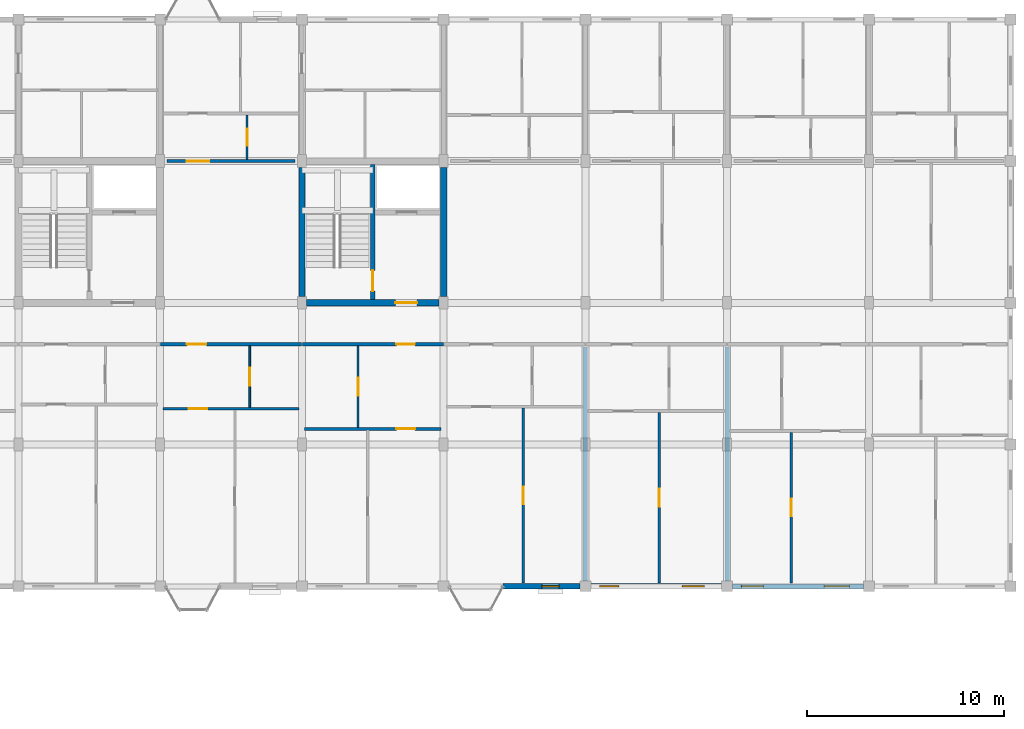
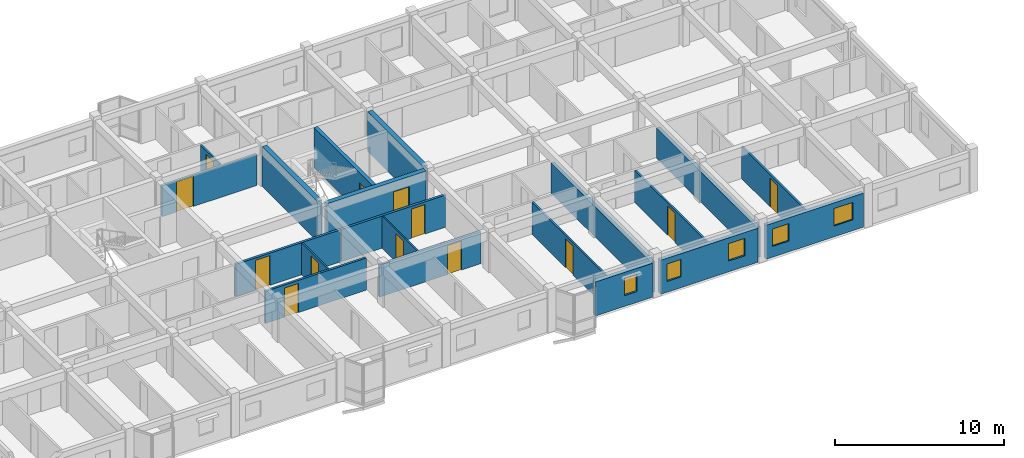
# One storey, part 67 of 77: 20 walls, 13 doors, 5 windows, 18 openings.
"""IFC4 building model written with IfcOpenShell, lengths in metres."""

from ifc_helpers import new_model, si_unit, direction, frame, frame_2d, origin, place, context, subcontext, project, spatial, rectangle, extrude, material, layer, layer_set, type_object, element, fill, save


model = new_model("IFC4")

# Units and contexts
model_context = context("Model", 3, precision=1e-05, world=origin(), true_north=direction((0.0, 1.0)))
body_context = subcontext(model_context, "Body", "Model", "MODEL_VIEW")
ifc_project = project(units=[si_unit("LENGTHUNIT", "METRE"), si_unit("AREAUNIT", "SQUARE_METRE"), si_unit("VOLUMEUNIT", "CUBIC_METRE"), si_unit("PLANEANGLEUNIT", "RADIAN"), si_unit("MASSUNIT", "GRAM", prefix="KILO"), si_unit("THERMODYNAMICTEMPERATUREUNIT", "KELVIN"), si_unit("POWERUNIT", "WATT")], contexts=[model_context])

# Site, building, storey
site_placement = place(None, origin())
site = spatial("IfcSite", under=ifc_project, at=site_placement, CompositionType="ELEMENT")
building_placement = place(site_placement, origin())
building = spatial("IfcBuilding", under=site, at=building_placement, Name="Tavuni Mirador Residences", CompositionType="ELEMENT")
storey_placement = place(building_placement, frame((0.0, 0.0, 17.10009765625)))
storey = spatial("IfcBuildingStorey", under=building, at=storey_placement, Name="L05", CompositionType="ELEMENT", Elevation=17.10009765625)

# Wall, opening, door
ifc_material_1 = material(Name="Precast concrete C40/50", Category="concrete")
ifc_layer_1 = layer(ifc_material_1, 0.25, Name="Precast concrete C40/50", Category="concrete")
ifc_layer_set_1 = layer_set([ifc_layer_1], Name="Precast concrete C40/50")
wall_type_1 = type_object("IfcWallType", Name="WT-COR250", PredefinedType="SHEAR", material=ifc_layer_set_1)
wall_1_placement = place(storey_placement, frame((43.199951171875, 158.56005859375, 0.0), z_axis=(0.0, 0.0, 1.0), x_axis=(0.0, 1.0, 0.0)))
wall_1 = element("IfcWall", 1, at=wall_1_placement, inside=storey, type_object=wall_type_1, Name="CWALL-C6-L05-MID", PredefinedType="SHEAR", context=body_context, shape_type="SweptSolid", body=[
    extrude(rectangle(XDim=6.8798828125, YDim=0.25, at=frame_2d((3.43994140625, 0.0))), origin(), (0.0, 0.0, 1.0), 2.885009765625),
])
opening_1_placement = place(wall_1_placement, frame((0.43994140625, 0.0, 0.0)))
opening_1 = element("IfcOpeningElement", 2, at=opening_1_placement, cuts=wall_1, Name="Opening D-01", PredefinedType="OPENING", context=body_context, shape_type="SweptSolid", body=[
    extrude(rectangle(XDim=1.050048828125, YDim=2.14990234375, at=frame_2d((0.52490234375, 1.074951171875))), frame((0.0, 0.135009765625, 0.0), z_axis=(0.0, -1.0, 0.0), x_axis=(1.0, 0.0, 0.0)), (0.0, 0.0, 1.0), 0.27001953125),
])
ifc_material_2 = material(Name="Solid core iroko timber", Category="wood")
door_type_1 = type_object("IfcDoorType", Name="DT-ST1050", OperationType="NOTDEFINED", PredefinedType="DOOR", material=ifc_material_2)
door_1_placement = place(opening_1_placement, origin())
door_1 = element("IfcDoor", 3, at=door_1_placement, inside=storey, type_object=door_type_1, Name="DR-2235", OperationType="SINGLE_SWING_LEFT", OverallHeight=2.14990234375, OverallWidth=1.050048828125, PredefinedType="DOOR", context=body_context, shape_type="SweptSolid", body=[
    extrude(rectangle(XDim=1.050048828125, YDim=2.14990234375, at=frame_2d((0.52490234375, 1.074951171875))), frame((0.0, 0.02490234375, 0.0), z_axis=(0.0, -1.0, 0.0), x_axis=(1.0, 0.0, 0.0)), (0.0, 0.0, 1.0), 0.050048828125),
])
fill(opening_1, door_1)

# Walls
ifc_layer_2 = layer(ifc_material_1, 0.320068359375, Name="Precast concrete C40/50", Category="concrete")
ifc_layer_set_2 = layer_set([ifc_layer_2], Name="Precast concrete C40/50")
wall_type_2 = type_object("IfcWallType", Name="WT-COR320", PredefinedType="SHEAR", material=ifc_layer_set_2)
for number, where, z_axis, x_axis, name in (
    (4, (39.60009765625, 158.72509765625, 0.0), (0.0, 0.0, 1.0), (0.0, 1.0, 0.0), "CWALL-C6-L05-W"),
    (5, (46.800048828125, 158.72509765625, 0.0), (0.0, 0.0, 1.0), (0.0, 1.0, 0.0), "CWALL-C6-L05-E"),
):
    element("IfcWall", number, at=place(storey_placement, frame(where, z_axis=z_axis, x_axis=x_axis)), inside=storey, type_object=wall_type_2, Name=name, PredefinedType="SHEAR", context=body_context, shape_type="SweptSolid", body=[
        extrude(rectangle(XDim=6.5498046875, YDim=0.320068359375, at=frame_2d((3.27490234375, 0.0))), origin(), (0.0, 0.0, 1.0), 2.885009765625),
    ])

# Wall, opening, door
wall_2_placement = place(storey_placement, frame((39.824951171875, 158.39990234375, 0.0), z_axis=(0.0, 0.0, 1.0), x_axis=(1.0, 0.0, 0.0)))
wall_2 = element("IfcWall", 6, at=wall_2_placement, inside=storey, type_object=wall_type_2, Name="CWALL-C6-L05-SS", PredefinedType="SHEAR", context=body_context, shape_type="SweptSolid", body=[
    extrude(rectangle(XDim=6.75, YDim=0.320068359375, at=frame_2d((3.375, 0.0))), origin(), (0.0, 0.0, 1.0), 2.885009765625),
])
opening_2_placement = place(wall_2_placement, frame((4.52490234375, 0.0, 0.0)))
opening_2 = element("IfcOpeningElement", 7, at=opening_2_placement, cuts=wall_2, Name="Opening D-02", PredefinedType="OPENING", context=body_context, shape_type="SweptSolid", body=[
    extrude(rectangle(XDim=1.10009765625, YDim=2.14990234375, at=frame_2d((0.550048828125, 1.074951171875))), frame((0.0, 0.169921875, 0.0), z_axis=(0.0, -1.0, 0.0), x_axis=(1.0, 0.0, 0.0)), (0.0, 0.0, 1.0), 0.340087890625),
])
door_type_2 = type_object("IfcDoorType", Name="DT-LOB1100", OperationType="NOTDEFINED", PredefinedType="DOOR", material=ifc_material_2)
door_2_placement = place(opening_2_placement, frame((1.10009765625, 0.0, 0.0), z_axis=(0.0, 0.0, 1.0), x_axis=(-1.0, 0.0, 0.0)))
door_2 = element("IfcDoor", 8, at=door_2_placement, inside=storey, type_object=door_type_2, Name="DR-2234", OperationType="SINGLE_SWING_RIGHT", OverallHeight=2.14990234375, OverallWidth=1.10009765625, PredefinedType="DOOR", context=body_context, shape_type="SweptSolid", body=[
    extrude(rectangle(XDim=1.10009765625, YDim=2.14990234375, at=frame_2d((0.550048828125, 1.074951171875))), frame((0.0, 0.02490234375, 0.0), z_axis=(0.0, -1.0, 0.0), x_axis=(1.0, 0.0, 0.0)), (0.0, 0.0, 1.0), 0.050048828125),
])
fill(opening_2, door_2)

ifc_layer_3 = layer(ifc_material_1, 0.1650390625, Name="Precast concrete C40/50", Category="concrete")
ifc_layer_set_3 = layer_set([ifc_layer_3], Name="Precast concrete C40/50")
wall_type_3 = type_object("IfcWallType", Name="WT-CORR165", PredefinedType="PARTITIONING", material=ifc_layer_set_3)
wall_3_placement = place(storey_placement, frame((32.419921875, 156.300048828125, 0.0), z_axis=(0.0, 0.0, 1.0), x_axis=(1.0, 0.0, 0.0)))
wall_3 = element("IfcWall", 9, at=wall_3_placement, inside=storey, type_object=wall_type_3, Name="CORW-BLK-C-L05-0-03", PredefinedType="PARTITIONING", context=body_context, shape_type="SweptSolid", body=[
    extrude(rectangle(XDim=7.16015625, YDim=0.1650390625, at=frame_2d((3.580078125, 0.0))), origin(), (0.0, 0.0, 1.0), 2.31982421875),
])
opening_3_placement = place(wall_3_placement, frame((1.330078125, 0.0, 0.0)))
opening_3 = element("IfcOpeningElement", 10, at=opening_3_placement, cuts=wall_3, Name="Opening D-03", PredefinedType="OPENING", context=body_context, shape_type="SweptSolid", body=[
    extrude(rectangle(XDim=1.0, YDim=2.14990234375, at=frame_2d((0.5, 1.074951171875))), frame((0.0, 0.092529296875, 0.0), z_axis=(0.0, -1.0, 0.0), x_axis=(1.0, 0.0, 0.0)), (0.0, 0.0, 1.0), 0.18505859375),
])
door_type_3 = type_object("IfcDoorType", Name="DT-FD60-1000", OperationType="NOTDEFINED", PredefinedType="DOOR", material=ifc_material_2)
door_3_placement = place(opening_3_placement, origin())
door_3 = element("IfcDoor", 11, at=door_3_placement, inside=storey, type_object=door_type_3, Name="DR-2694", OperationType="SINGLE_SWING_LEFT", OverallHeight=2.14990234375, OverallWidth=1.0, PredefinedType="DOOR", context=body_context, shape_type="SweptSolid", body=[
    extrude(rectangle(XDim=1.0, YDim=2.14990234375, at=frame_2d((0.5, 1.074951171875))), frame((0.0, 0.02490234375, 0.0), z_axis=(0.0, -1.0, 0.0), x_axis=(1.0, 0.0, 0.0)), (0.0, 0.0, 1.0), 0.050048828125),
])
fill(opening_3, door_3)

wall_4_placement = place(storey_placement, frame((39.6201171875, 156.300048828125, 0.0), z_axis=(0.0, 0.0, 1.0), x_axis=(1.0, 0.0, 0.0)))
wall_4 = element("IfcWall", 12, at=wall_4_placement, inside=storey, type_object=wall_type_3, Name="CORW-BLK-C-L05-0-04", PredefinedType="PARTITIONING", context=body_context, shape_type="SweptSolid", body=[
    extrude(rectangle(XDim=7.159912109375, YDim=0.1650390625, at=frame_2d((3.580078125, 0.0))), origin(), (0.0, 0.0, 1.0), 2.31982421875),
])
opening_4_placement = place(wall_4_placement, frame((4.780029296875, 0.0, 0.0)))
opening_4 = element("IfcOpeningElement", 13, at=opening_4_placement, cuts=wall_4, Name="Opening D-19", PredefinedType="OPENING", context=body_context, shape_type="SweptSolid", body=[
    extrude(rectangle(XDim=0.93994140625, YDim=2.1201171875, at=frame_2d((0.469970703125, 1.06005859375))), frame((0.0, 0.092529296875, 0.0), z_axis=(0.0, -1.0, 0.0), x_axis=(1.0, 0.0, 0.0)), (0.0, 0.0, 1.0), 0.18505859375),
])
door_type_4 = type_object("IfcDoorType", Name="DT-FD60-940", OperationType="NOTDEFINED", PredefinedType="DOOR", material=ifc_material_2)
door_4_placement = place(opening_4_placement, origin())
door_4 = element("IfcDoor", 14, at=door_4_placement, inside=storey, type_object=door_type_4, Name="DR-2695", OperationType="SINGLE_SWING_RIGHT", OverallHeight=2.1201171875, OverallWidth=0.93994140625, PredefinedType="DOOR", context=body_context, shape_type="SweptSolid", body=[
    extrude(rectangle(XDim=0.93994140625, YDim=2.1201171875, at=frame_2d((0.469970703125, 1.06005859375))), frame((0.0, 0.02490234375, 0.0), z_axis=(0.0, -1.0, 0.0), x_axis=(1.0, 0.0, 0.0)), (0.0, 0.0, 1.0), 0.050048828125),
])
fill(opening_4, door_4)

wall_5_placement = place(storey_placement, frame((32.75, 165.60009765625, 0.0), z_axis=(0.0, 0.0, 1.0), x_axis=(1.0, 0.0, 0.0)))
wall_5 = element("IfcWall", 15, at=wall_5_placement, inside=storey, type_object=wall_type_3, Name="CORW-BLK-C-L05-1-03", PredefinedType="PARTITIONING", context=body_context, shape_type="SweptSolid", body=[
    extrude(rectangle(XDim=6.5, YDim=0.1650390625, at=frame_2d((3.25, 0.0))), origin(), (0.0, 0.0, 1.0), 2.23486328125),
])
opening_5_placement = place(wall_5_placement, frame((1.0, 0.0, 0.0)))
opening_5 = element("IfcOpeningElement", 16, at=opening_5_placement, cuts=wall_5, Name="Opening D-20", PredefinedType="OPENING", context=body_context, shape_type="SweptSolid", body=[
    extrude(rectangle(XDim=1.139892578125, YDim=2.179931640625, at=frame_2d((0.56982421875, 1.08984375))), frame((0.0, 0.092529296875, 0.0), z_axis=(0.0, -1.0, 0.0), x_axis=(1.0, 0.0, 0.0)), (0.0, 0.0, 1.0), 0.18505859375),
])
door_type_5 = type_object("IfcDoorType", Name="DT-FD60-1140", OperationType="NOTDEFINED", PredefinedType="DOOR", material=ifc_material_2)
door_5_placement = place(opening_5_placement, origin())
door_5 = element("IfcDoor", 17, at=door_5_placement, inside=storey, type_object=door_type_5, Name="DR-2702", OperationType="SINGLE_SWING_LEFT", OverallHeight=2.179931640625, OverallWidth=1.139892578125, PredefinedType="DOOR", context=body_context, shape_type="SweptSolid", body=[
    extrude(rectangle(XDim=1.139892578125, YDim=2.179931640625, at=frame_2d((0.56982421875, 1.08984375))), frame((0.0, 0.02490234375, 0.0), z_axis=(0.0, -1.0, 0.0), x_axis=(1.0, 0.0, 0.0)), (0.0, 0.0, 1.0), 0.050048828125),
])
fill(opening_5, door_5)

# Wall, openings, windows
ifc_material_3 = material(Name="Sgraffito lime-rendered precast concrete C40/50", Category="concrete")
ifc_layer_4 = layer(ifc_material_3, 0.2548828125, Name="Sgraffito lime-rendered precast concrete C40/50", Category="concrete")
ifc_layer_set_4 = layer_set([ifc_layer_4], Name="Sgraffito lime-rendered precast concrete C40/50")
wall_type_4 = type_object("IfcWallType", Name="WT-EXT-PC255", PredefinedType="SOLIDWALL", material=ifc_layer_set_4)
wall_6_placement = place(storey_placement, frame((61.47509765625, 144.0, 0.0), z_axis=(0.0, 0.0, 1.0), x_axis=(1.0, 0.0, 0.0)))
wall_6 = element("IfcWall", 18, at=wall_6_placement, inside=storey, type_object=wall_type_4, Name="EW-BLK-C-L05-S07", PredefinedType="SOLIDWALL", context=body_context, shape_type="SweptSolid", body=[
    extrude(rectangle(XDim=6.64990234375, YDim=0.2548828125, at=frame_2d((3.324951171875, 0.0))), origin(), (0.0, 0.0, 1.0), 2.454833984375),
])
opening_6_placement = place(wall_6_placement, frame((0.449951171875, 0.0, 0.780029296875)))
opening_6 = element("IfcOpeningElement", 19, at=opening_6_placement, cuts=wall_6, Name="Opening WN-12", PredefinedType="OPENING", context=body_context, shape_type="SweptSolid", body=[
    extrude(rectangle(XDim=1.1201171875, YDim=1.260009765625, at=frame_2d((0.56005859375, 0.6298828125))), frame((0.0, 0.137451171875, 0.0), z_axis=(0.0, -1.0, 0.0), x_axis=(1.0, 0.0, 0.0)), (0.0, 0.0, 1.0), 0.27490234375),
])
opening_7_placement = place(wall_6_placement, frame((4.64990234375, 0.0, 0.780029296875)))
opening_7 = element("IfcOpeningElement", 20, at=opening_7_placement, cuts=wall_6, Name="Opening WN-14", PredefinedType="OPENING", context=body_context, shape_type="SweptSolid", body=[
    extrude(rectangle(XDim=1.280029296875, YDim=1.260009765625, at=frame_2d((0.64013671875, 0.6298828125))), frame((0.0, 0.137451171875, 0.0), z_axis=(0.0, -1.0, 0.0), x_axis=(1.0, 0.0, 0.0)), (0.0, 0.0, 1.0), 0.27490234375),
])
ifc_material_4 = material(Name="Laminated solar-control glass", Category="glass")
window_type_1 = type_object("IfcWindowType", Name="WNT-12", PartitioningType="SINGLE_PANEL", PredefinedType="WINDOW", material=ifc_material_4)
window_1_placement = place(opening_6_placement, origin())
window_1 = element("IfcWindow", 21, at=window_1_placement, inside=storey, type_object=window_type_1, Name="WIN-1056", OverallHeight=1.260009765625, OverallWidth=1.1201171875, PartitioningType="SINGLE_PANEL", PredefinedType="WINDOW", context=body_context, shape_type="SweptSolid", body=[
    extrude(rectangle(XDim=1.1201171875, YDim=1.260009765625, at=frame_2d((0.56005859375, 0.6298828125))), frame((0.0, 0.030029296875, 0.0), z_axis=(0.0, -1.0, 0.0), x_axis=(1.0, 0.0, 0.0)), (0.0, 0.0, 1.0), 0.06005859375),
])
fill(opening_6, window_1)
window_type_2 = type_object("IfcWindowType", Name="WNT-14", PartitioningType="SINGLE_PANEL", PredefinedType="WINDOW", material=ifc_material_4)
window_2_placement = place(opening_7_placement, origin())
window_2 = element("IfcWindow", 22, at=window_2_placement, inside=storey, type_object=window_type_2, Name="WIN-1057", OverallHeight=1.260009765625, OverallWidth=1.280029296875, PartitioningType="SINGLE_PANEL", PredefinedType="WINDOW", context=body_context, shape_type="SweptSolid", body=[
    extrude(rectangle(XDim=1.280029296875, YDim=1.260009765625, at=frame_2d((0.64013671875, 0.6298828125))), frame((0.0, 0.030029296875, 0.0), z_axis=(0.0, -1.0, 0.0), x_axis=(1.0, 0.0, 0.0)), (0.0, 0.0, 1.0), 0.06005859375),
])
fill(opening_7, window_2)

ifc_layer_5 = layer(ifc_material_3, 0.27490234375, Name="Sgraffito lime-rendered precast concrete C40/50", Category="concrete")
ifc_layer_set_5 = layer_set([ifc_layer_5], Name="Sgraffito lime-rendered precast concrete C40/50")
wall_type_5 = type_object("IfcWallType", Name="WT-EXT-PC275", PredefinedType="SOLIDWALL", material=ifc_layer_set_5)
wall_7_placement = place(storey_placement, frame((54.27490234375, 144.0, 0.0), z_axis=(0.0, 0.0, 1.0), x_axis=(1.0, 0.0, 0.0)))
wall_7 = element("IfcWall", 23, at=wall_7_placement, inside=storey, type_object=wall_type_5, Name="EW-BLK-C-L05-S06", PredefinedType="SOLIDWALL", context=body_context, shape_type="SweptSolid", body=[
    extrude(rectangle(XDim=6.650146484375, YDim=0.27490234375, at=frame_2d((3.3251953125, 0.0))), origin(), (0.0, 0.0, 1.0), 2.454833984375),
])
opening_8_placement = place(wall_7_placement, frame((0.449951171875, 0.0, 0.780029296875)))
opening_8 = element("IfcOpeningElement", 24, at=opening_8_placement, cuts=wall_7, Name="Opening WN-10", PredefinedType="OPENING", context=body_context, shape_type="SweptSolid", body=[
    extrude(rectangle(XDim=0.9599609375, YDim=1.260009765625, at=frame_2d((0.47998046875, 0.6298828125))), frame((0.0, 0.1474609375, 0.0), z_axis=(0.0, -1.0, 0.0), x_axis=(1.0, 0.0, 0.0)), (0.0, 0.0, 1.0), 0.294921875),
])
opening_9_placement = place(wall_7_placement, frame((4.64990234375, 0.0, 0.780029296875)))
opening_9 = element("IfcOpeningElement", 25, at=opening_9_placement, cuts=wall_7, Name="Opening WN-12", PredefinedType="OPENING", context=body_context, shape_type="SweptSolid", body=[
    extrude(rectangle(XDim=1.1201171875, YDim=1.260009765625, at=frame_2d((0.56005859375, 0.6298828125))), frame((0.0, 0.1474609375, 0.0), z_axis=(0.0, -1.0, 0.0), x_axis=(1.0, 0.0, 0.0)), (0.0, 0.0, 1.0), 0.294921875),
])
window_type_3 = type_object("IfcWindowType", Name="WNT-10", PartitioningType="SINGLE_PANEL", PredefinedType="WINDOW", material=ifc_material_4)
window_3_placement = place(opening_8_placement, origin())
window_3 = element("IfcWindow", 26, at=window_3_placement, inside=storey, type_object=window_type_3, Name="WIN-1054", OverallHeight=1.260009765625, OverallWidth=0.9599609375, PartitioningType="SINGLE_PANEL", PredefinedType="WINDOW", context=body_context, shape_type="SweptSolid", body=[
    extrude(rectangle(XDim=0.9599609375, YDim=1.260009765625, at=frame_2d((0.47998046875, 0.6298828125))), frame((0.0, 0.030029296875, 0.0), z_axis=(0.0, -1.0, 0.0), x_axis=(1.0, 0.0, 0.0)), (0.0, 0.0, 1.0), 0.06005859375),
])
fill(opening_8, window_3)
window_4_placement = place(opening_9_placement, origin())
window_4 = element("IfcWindow", 27, at=window_4_placement, inside=storey, type_object=window_type_1, Name="WIN-1055", OverallHeight=1.260009765625, OverallWidth=1.1201171875, PartitioningType="SINGLE_PANEL", PredefinedType="WINDOW", context=body_context, shape_type="SweptSolid", body=[
    extrude(rectangle(XDim=1.1201171875, YDim=1.260009765625, at=frame_2d((0.56005859375, 0.6298828125))), frame((0.0, 0.030029296875, 0.0), z_axis=(0.0, -1.0, 0.0), x_axis=(1.0, 0.0, 0.0)), (0.0, 0.0, 1.0), 0.06005859375),
])
fill(opening_9, window_4)

# Wall, opening, window
ifc_layer_6 = layer(ifc_material_3, 0.2900390625, Name="Sgraffito lime-rendered precast concrete C40/50", Category="concrete")
ifc_layer_set_6 = layer_set([ifc_layer_6], Name="Sgraffito lime-rendered precast concrete C40/50")
wall_type_6 = type_object("IfcWallType", Name="WT-EXT-PC290", PredefinedType="SOLIDWALL", material=ifc_layer_set_6)
wall_8_placement = place(storey_placement, frame((49.820068359375, 144.0, 0.0), z_axis=(0.0, 0.0, 1.0), x_axis=(1.0, 0.0, 0.0)))
wall_8 = element("IfcWall", 28, at=wall_8_placement, inside=storey, type_object=wall_type_6, Name="EW-BLK-C-L05-S05", PredefinedType="SOLIDWALL", context=body_context, shape_type="SweptSolid", body=[
    extrude(rectangle(XDim=3.905029296875, YDim=0.2900390625, at=frame_2d((1.95263671875, 0.0))), origin(), (0.0, 0.0, 1.0), 2.454833984375),
])
opening_10_placement = place(wall_8_placement, frame((1.972412109375, 0.0, 0.780029296875)))
opening_10 = element("IfcOpeningElement", 29, at=opening_10_placement, cuts=wall_8, Name="Opening WN-09", PredefinedType="OPENING", context=body_context, shape_type="SweptSolid", body=[
    extrude(rectangle(XDim=0.8798828125, YDim=1.260009765625, at=frame_2d((0.43994140625, 0.6298828125))), frame((0.0, 0.155029296875, 0.0), z_axis=(0.0, -1.0, 0.0), x_axis=(1.0, 0.0, 0.0)), (0.0, 0.0, 1.0), 0.31005859375),
])
window_type_4 = type_object("IfcWindowType", Name="WNT-09", PartitioningType="SINGLE_PANEL", PredefinedType="WINDOW", material=ifc_material_4)
window_5_placement = place(opening_10_placement, origin())
window_5 = element("IfcWindow", 30, at=window_5_placement, inside=storey, type_object=window_type_4, Name="WIN-1053", OverallHeight=1.260009765625, OverallWidth=0.8798828125, PartitioningType="SINGLE_PANEL", PredefinedType="WINDOW", context=body_context, shape_type="SweptSolid", body=[
    extrude(rectangle(XDim=0.8798828125, YDim=1.260009765625, at=frame_2d((0.43994140625, 0.6298828125))), frame((0.0, 0.030029296875, 0.0), z_axis=(0.0, -1.0, 0.0), x_axis=(1.0, 0.0, 0.0)), (0.0, 0.0, 1.0), 0.06005859375),
])
fill(opening_10, window_5)

# Wall, opening, door
ifc_material_5 = material(Name="Acoustic gypsum and concrete block partition", Category="concrete")
ifc_layer_7 = layer(ifc_material_5, 0.094970703125, Name="Acoustic gypsum and concrete block partition", Category="concrete")
ifc_layer_set_7 = layer_set([ifc_layer_7], Name="Acoustic gypsum and concrete block partition")
wall_type_7 = type_object("IfcWallType", Name="WT-PART095", PredefinedType="PARTITIONING", material=ifc_layer_set_7)
wall_9_placement = place(storey_placement, frame((36.949951171875, 153.090087890625, 0.0), z_axis=(0.0, 0.0, 1.0), x_axis=(0.0, 1.0, 0.0)))
wall_9 = element("IfcWall", 31, at=wall_9_placement, inside=storey, type_object=wall_type_7, Name="PW-BLK-C-L05-S03-IN1", PredefinedType="PARTITIONING", context=body_context, shape_type="SweptSolid", body=[
    extrude(rectangle(XDim=3.119873046875, YDim=0.094970703125, at=frame_2d((1.56005859375, 0.0))), origin(), (0.0, 0.0, 1.0), 2.31982421875),
])
opening_11_placement = place(wall_9_placement, frame((1.110107421875, 0.0, 0.0)))
opening_11 = element("IfcOpeningElement", 32, at=opening_11_placement, cuts=wall_9, Name="Opening D-09", PredefinedType="OPENING", context=body_context, shape_type="SweptSolid", body=[
    extrude(rectangle(XDim=0.89990234375, YDim=2.050048828125, at=frame_2d((0.449951171875, 1.02490234375))), frame((0.0, 0.0576171875, 0.0), z_axis=(0.0, -1.0, 0.0), x_axis=(1.0, 0.0, 0.0)), (0.0, 0.0, 1.0), 0.114990234375),
])
door_type_6 = type_object("IfcDoorType", Name="DT-WC900", OperationType="NOTDEFINED", PredefinedType="DOOR", material=ifc_material_2)
door_6_placement = place(opening_11_placement, origin())
door_6 = element("IfcDoor", 33, at=door_6_placement, inside=storey, type_object=door_type_6, Name="DR-3925", OperationType="SINGLE_SWING_LEFT", OverallHeight=2.050048828125, OverallWidth=0.89990234375, PredefinedType="DOOR", context=body_context, shape_type="SweptSolid", body=[
    extrude(rectangle(XDim=0.89990234375, YDim=2.050048828125, at=frame_2d((0.449951171875, 1.02490234375))), frame((0.0, 0.02490234375, 0.0), z_axis=(0.0, -1.0, 0.0), x_axis=(1.0, 0.0, 0.0)), (0.0, 0.0, 1.0), 0.050048828125),
])
fill(opening_11, door_6)

wall_10_placement = place(storey_placement, frame((42.449951171875, 152.070068359375, 0.0), z_axis=(0.0, 0.0, 1.0), x_axis=(0.0, 1.0, 0.0)))
wall_10 = element("IfcWall", 34, at=wall_10_placement, inside=storey, type_object=wall_type_7, Name="PW-BLK-C-L05-S04-IN1", PredefinedType="PARTITIONING", context=body_context, shape_type="SweptSolid", body=[
    extrude(rectangle(XDim=4.139892578125, YDim=0.094970703125, at=frame_2d((2.06982421875, 0.0))), origin(), (0.0, 0.0, 1.0), 2.31982421875),
])
opening_12_placement = place(wall_10_placement, frame((1.6201171875, 0.0, 0.0)))
opening_12 = element("IfcOpeningElement", 35, at=opening_12_placement, cuts=wall_10, Name="Opening D-09", PredefinedType="OPENING", context=body_context, shape_type="SweptSolid", body=[
    extrude(rectangle(XDim=0.89990234375, YDim=2.050048828125, at=frame_2d((0.449951171875, 1.02490234375))), frame((0.0, 0.0576171875, 0.0), z_axis=(0.0, -1.0, 0.0), x_axis=(1.0, 0.0, 0.0)), (0.0, 0.0, 1.0), 0.114990234375),
])
door_7_placement = place(opening_12_placement, origin())
door_7 = element("IfcDoor", 36, at=door_7_placement, inside=storey, type_object=door_type_6, Name="DR-3931", OperationType="SINGLE_SWING_LEFT", OverallHeight=2.050048828125, OverallWidth=0.89990234375, PredefinedType="DOOR", context=body_context, shape_type="SweptSolid", body=[
    extrude(rectangle(XDim=0.89990234375, YDim=2.050048828125, at=frame_2d((0.449951171875, 1.02490234375))), frame((0.0, 0.02490234375, 0.0), z_axis=(0.0, -1.0, 0.0), x_axis=(1.0, 0.0, 0.0)), (0.0, 0.0, 1.0), 0.050048828125),
])
fill(opening_12, door_7)

ifc_layer_8 = layer(ifc_material_5, 0.10498046875, Name="Acoustic gypsum and concrete block partition", Category="concrete")
ifc_layer_set_8 = layer_set([ifc_layer_8], Name="Acoustic gypsum and concrete block partition")
wall_type_8 = type_object("IfcWallType", Name="WT-PART105", PredefinedType="PARTITIONING", material=ifc_layer_set_8)
wall_11_placement = place(storey_placement, frame((36.820068359375, 165.68994140625, 0.0), z_axis=(0.0, 0.0, 1.0), x_axis=(0.0, 1.0, 0.0)))
wall_11 = element("IfcWall", 37, at=wall_11_placement, inside=storey, type_object=wall_type_8, Name="PW-BLK-C-L05-N03-IN1", PredefinedType="PARTITIONING", context=body_context, shape_type="SweptSolid", body=[
    extrude(rectangle(XDim=2.260009765625, YDim=0.10498046875, at=frame_2d((1.1298828125, 0.0))), origin(), (0.0, 0.0, 1.0), 2.31982421875),
])
opening_13_placement = place(wall_11_placement, frame((0.695068359375, 0.0, 0.0)))
opening_13 = element("IfcOpeningElement", 38, at=opening_13_placement, cuts=wall_11, Name="Opening D-10", PredefinedType="OPENING", context=body_context, shape_type="SweptSolid", body=[
    extrude(rectangle(XDim=0.8701171875, YDim=2.050048828125, at=frame_2d((0.43505859375, 1.02490234375))), frame((0.0, 0.0625, 0.0), z_axis=(0.0, -1.0, 0.0), x_axis=(1.0, 0.0, 0.0)), (0.0, 0.0, 1.0), 0.125),
])
door_type_7 = type_object("IfcDoorType", Name="DT-WC870", OperationType="NOTDEFINED", PredefinedType="DOOR", material=ifc_material_2)
door_8_placement = place(opening_13_placement, origin())
door_8 = element("IfcDoor", 39, at=door_8_placement, inside=storey, type_object=door_type_7, Name="DR-3928", OperationType="SINGLE_SWING_RIGHT", OverallHeight=2.050048828125, OverallWidth=0.8701171875, PredefinedType="DOOR", context=body_context, shape_type="SweptSolid", body=[
    extrude(rectangle(XDim=0.8701171875, YDim=2.050048828125, at=frame_2d((0.43505859375, 1.02490234375))), frame((0.0, 0.02490234375, 0.0), z_axis=(0.0, -1.0, 0.0), x_axis=(1.0, 0.0, 0.0)), (0.0, 0.0, 1.0), 0.050048828125),
])
fill(opening_13, door_8)

ifc_layer_9 = layer(ifc_material_5, 0.114990234375, Name="Acoustic gypsum and concrete block partition", Category="concrete")
ifc_layer_set_9 = layer_set([ifc_layer_9], Name="Acoustic gypsum and concrete block partition")
wall_type_9 = type_object("IfcWallType", Name="WT-PART115", PredefinedType="PARTITIONING", material=ifc_layer_set_9)
wall_12_placement = place(storey_placement, frame((50.85009765625, 144.175048828125, 0.0), z_axis=(0.0, 0.0, 1.0), x_axis=(0.0, 1.0, 0.0)))
wall_12 = element("IfcWall", 40, at=wall_12_placement, inside=storey, type_object=wall_type_9, Name="PW-BLK-C-L05-S05-OUT", PredefinedType="PARTITIONING", context=body_context, shape_type="SweptSolid", body=[
    extrude(rectangle(XDim=8.875, YDim=0.114990234375, at=frame_2d((4.4375, 0.0))), origin(), (0.0, 0.0, 1.0), 2.31982421875),
])
opening_14_placement = place(wall_12_placement, frame((3.99755859375, 0.0, 0.0)))
opening_14 = element("IfcOpeningElement", 41, at=opening_14_placement, cuts=wall_12, Name="Opening D-08", PredefinedType="OPENING", context=body_context, shape_type="SweptSolid", body=[
    extrude(rectangle(XDim=0.8798828125, YDim=2.080078125, at=frame_2d((0.43994140625, 1.0400390625))), frame((0.0, 0.0673828125, 0.0), z_axis=(0.0, -1.0, 0.0), x_axis=(1.0, 0.0, 0.0)), (0.0, 0.0, 1.0), 0.135009765625),
])
door_type_8 = type_object("IfcDoorType", Name="DT-BED880", OperationType="NOTDEFINED", PredefinedType="DOOR", material=ifc_material_2)
door_9_placement = place(opening_14_placement, origin())
door_9 = element("IfcDoor", 42, at=door_9_placement, inside=storey, type_object=door_type_8, Name="DR-3935", OperationType="SINGLE_SWING_LEFT", OverallHeight=2.080078125, OverallWidth=0.8798828125, PredefinedType="DOOR", context=body_context, shape_type="SweptSolid", body=[
    extrude(rectangle(XDim=0.8798828125, YDim=2.080078125, at=frame_2d((0.43994140625, 1.0400390625))), frame((0.0, 0.02490234375, 0.0), z_axis=(0.0, -1.0, 0.0), x_axis=(1.0, 0.0, 0.0)), (0.0, 0.0, 1.0), 0.050048828125),
])
fill(opening_14, door_9)

ifc_layer_10 = layer(ifc_material_5, 0.125, Name="Acoustic gypsum and concrete block partition", Category="concrete")
ifc_layer_set_10 = layer_set([ifc_layer_10], Name="Acoustic gypsum and concrete block partition")
wall_type_10 = type_object("IfcWallType", Name="WT-PART125", PredefinedType="PARTITIONING", material=ifc_layer_set_10)
wall_13_placement = place(storey_placement, frame((57.75, 144.175048828125, 0.0), z_axis=(0.0, 0.0, 1.0), x_axis=(0.0, 1.0, 0.0)))
wall_13 = element("IfcWall", 43, at=wall_13_placement, inside=storey, type_object=wall_type_10, Name="PW-BLK-C-L05-S06-OUT", PredefinedType="PARTITIONING", context=body_context, shape_type="SweptSolid", body=[
    extrude(rectangle(XDim=8.655029296875, YDim=0.125, at=frame_2d((4.32763671875, 0.0))), origin(), (0.0, 0.0, 1.0), 2.31982421875),
])
opening_15_placement = place(wall_13_placement, frame((3.87744140625, 0.0, 0.0)))
opening_15 = element("IfcOpeningElement", 44, at=opening_15_placement, cuts=wall_13, Name="Opening D-07", PredefinedType="OPENING", context=body_context, shape_type="SweptSolid", body=[
    extrude(rectangle(XDim=0.89990234375, YDim=2.10009765625, at=frame_2d((0.449951171875, 1.050048828125))), frame((0.0, 0.072509765625, 0.0), z_axis=(0.0, -1.0, 0.0), x_axis=(1.0, 0.0, 0.0)), (0.0, 0.0, 1.0), 0.14501953125),
])
door_type_9 = type_object("IfcDoorType", Name="DT-BED900", OperationType="NOTDEFINED", PredefinedType="DOOR", material=ifc_material_2)
door_10_placement = place(opening_15_placement, origin())
door_10 = element("IfcDoor", 45, at=door_10_placement, inside=storey, type_object=door_type_9, Name="DR-3942", OperationType="SINGLE_SWING_RIGHT", OverallHeight=2.10009765625, OverallWidth=0.89990234375, PredefinedType="DOOR", context=body_context, shape_type="SweptSolid", body=[
    extrude(rectangle(XDim=0.89990234375, YDim=2.10009765625, at=frame_2d((0.449951171875, 1.050048828125))), frame((0.0, 0.02490234375, 0.0), z_axis=(0.0, -1.0, 0.0), x_axis=(1.0, 0.0, 0.0)), (0.0, 0.0, 1.0), 0.050048828125),
])
fill(opening_15, door_10)

wall_14_placement = place(storey_placement, frame((64.449951171875, 144.175048828125, 0.0), z_axis=(0.0, 0.0, 1.0), x_axis=(0.0, 1.0, 0.0)))
wall_14 = element("IfcWall", 46, at=wall_14_placement, inside=storey, type_object=wall_type_10, Name="PW-BLK-C-L05-S07-OUT", PredefinedType="PARTITIONING", context=body_context, shape_type="SweptSolid", body=[
    extrude(rectangle(XDim=7.64501953125, YDim=0.125, at=frame_2d((3.822509765625, 0.0))), origin(), (0.0, 0.0, 1.0), 2.31982421875),
])
opening_16_placement = place(wall_14_placement, frame((3.382568359375, 0.0, 0.0)))
opening_16 = element("IfcOpeningElement", 47, at=opening_16_placement, cuts=wall_14, Name="Opening D-08", PredefinedType="OPENING", context=body_context, shape_type="SweptSolid", body=[
    extrude(rectangle(XDim=0.8798828125, YDim=2.080078125, at=frame_2d((0.43994140625, 1.0400390625))), frame((0.0, 0.072509765625, 0.0), z_axis=(0.0, -1.0, 0.0), x_axis=(1.0, 0.0, 0.0)), (0.0, 0.0, 1.0), 0.14501953125),
])
door_11_placement = place(opening_16_placement, origin())
door_11 = element("IfcDoor", 48, at=door_11_placement, inside=storey, type_object=door_type_8, Name="DR-3948", OperationType="SINGLE_SWING_LEFT", OverallHeight=2.080078125, OverallWidth=0.8798828125, PredefinedType="DOOR", context=body_context, shape_type="SweptSolid", body=[
    extrude(rectangle(XDim=0.8798828125, YDim=2.080078125, at=frame_2d((0.43994140625, 1.0400390625))), frame((0.0, 0.02490234375, 0.0), z_axis=(0.0, -1.0, 0.0), x_axis=(1.0, 0.0, 0.0)), (0.0, 0.0, 1.0), 0.050048828125),
])
fill(opening_16, door_11)

ifc_layer_11 = layer(ifc_material_5, 0.14990234375, Name="Acoustic gypsum and concrete block partition", Category="concrete")
ifc_layer_set_11 = layer_set([ifc_layer_11], Name="Acoustic gypsum and concrete block partition")
wall_type_11 = type_object("IfcWallType", Name="WT-PART150", PredefinedType="PARTITIONING", material=ifc_layer_set_11)
wall_15_placement = place(storey_placement, frame((32.5400390625, 153.02001953125, 0.0), z_axis=(0.0, 0.0, 1.0), x_axis=(1.0, 0.0, 0.0)))
wall_15 = element("IfcWall", 49, at=wall_15_placement, inside=storey, type_object=wall_type_11, Name="PW-BLK-C-L05-S03-MID", PredefinedType="PARTITIONING", context=body_context, shape_type="SweptSolid", body=[
    extrude(rectangle(XDim=6.919921875, YDim=0.14990234375, at=frame_2d((3.4599609375, 0.0))), origin(), (0.0, 0.0, 1.0), 2.31982421875),
])
opening_17_placement = place(wall_15_placement, frame((1.31005859375, 0.0, 0.0)))
opening_17 = element("IfcOpeningElement", 50, at=opening_17_placement, cuts=wall_15, Name="Opening D-05", PredefinedType="OPENING", context=body_context, shape_type="SweptSolid", body=[
    extrude(rectangle(XDim=0.949951171875, YDim=2.10009765625, at=frame_2d((0.47509765625, 1.050048828125))), frame((0.0, 0.0849609375, 0.0), z_axis=(0.0, -1.0, 0.0), x_axis=(1.0, 0.0, 0.0)), (0.0, 0.0, 1.0), 0.169921875),
])
door_type_10 = type_object("IfcDoorType", Name="DT-INT950", OperationType="NOTDEFINED", PredefinedType="DOOR", material=ifc_material_2)
door_12_placement = place(opening_17_placement, origin())
door_12 = element("IfcDoor", 51, at=door_12_placement, inside=storey, type_object=door_type_10, Name="DR-3926", OperationType="SINGLE_SWING_LEFT", OverallHeight=2.10009765625, OverallWidth=0.949951171875, PredefinedType="DOOR", context=body_context, shape_type="SweptSolid", body=[
    extrude(rectangle(XDim=0.949951171875, YDim=2.10009765625, at=frame_2d((0.47509765625, 1.050048828125))), frame((0.0, 0.02490234375, 0.0), z_axis=(0.0, -1.0, 0.0), x_axis=(1.0, 0.0, 0.0)), (0.0, 0.0, 1.0), 0.050048828125),
])
fill(opening_17, door_12)

wall_16_placement = place(storey_placement, frame((39.739990234375, 152.0, 0.0), z_axis=(0.0, 0.0, 1.0), x_axis=(1.0, 0.0, 0.0)))
wall_16 = element("IfcWall", 52, at=wall_16_placement, inside=storey, type_object=wall_type_11, Name="PW-BLK-C-L05-S04-MID", PredefinedType="PARTITIONING", context=body_context, shape_type="SweptSolid", body=[
    extrude(rectangle(XDim=6.919921875, YDim=0.14990234375, at=frame_2d((3.4599609375, 0.0))), origin(), (0.0, 0.0, 1.0), 2.31982421875),
])
opening_18_placement = place(wall_16_placement, frame((4.659912109375, 0.0, 0.0)))
opening_18 = element("IfcOpeningElement", 53, at=opening_18_placement, cuts=wall_16, Name="Opening D-05", PredefinedType="OPENING", context=body_context, shape_type="SweptSolid", body=[
    extrude(rectangle(XDim=0.949951171875, YDim=2.10009765625, at=frame_2d((0.47509765625, 1.050048828125))), frame((0.0, 0.0849609375, 0.0), z_axis=(0.0, -1.0, 0.0), x_axis=(1.0, 0.0, 0.0)), (0.0, 0.0, 1.0), 0.169921875),
])
door_13_placement = place(opening_18_placement, origin())
door_13 = element("IfcDoor", 54, at=door_13_placement, inside=storey, type_object=door_type_10, Name="DR-3932", OperationType="SINGLE_SWING_LEFT", OverallHeight=2.10009765625, OverallWidth=0.949951171875, PredefinedType="DOOR", context=body_context, shape_type="SweptSolid", body=[
    extrude(rectangle(XDim=0.949951171875, YDim=2.10009765625, at=frame_2d((0.47509765625, 1.050048828125))), frame((0.0, 0.02490234375, 0.0), z_axis=(0.0, -1.0, 0.0), x_axis=(1.0, 0.0, 0.0)), (0.0, 0.0, 1.0), 0.050048828125),
])
fill(opening_18, door_13)

# Walls
ifc_layer_12 = layer(ifc_material_1, 0.235107421875, Name="Precast concrete C40/50", Category="concrete")
ifc_layer_set_12 = layer_set([ifc_layer_12], Name="Precast concrete C40/50")
wall_type_12 = type_object("IfcWallType", Name="WT-XW235", PredefinedType="SOLIDWALL", material=ifc_layer_set_12)
for number, where, z_axis, x_axis, name in (
    (55, (54.0, 144.27490234375, 0.0), (0.0, 0.0, 1.0), (0.0, 1.0, 0.0), "XW-BLK-C-L05-S-06"),
    (56, (61.199951171875, 144.27490234375, 0.0), (0.0, 0.0, 1.0), (0.0, 1.0, 0.0), "XW-BLK-C-L05-S-07"),
):
    element("IfcWall", number, at=place(storey_placement, frame(where, z_axis=z_axis, x_axis=x_axis)), inside=storey, type_object=wall_type_12, Name=name, PredefinedType="SOLIDWALL", context=body_context, shape_type="SweptSolid", body=[
        extrude(rectangle(XDim=11.875, YDim=0.235107421875, at=frame_2d((5.9375, 0.0))), origin(), (0.0, 0.0, 1.0), 2.184814453125),
    ])

save(model, "model.ifc")
